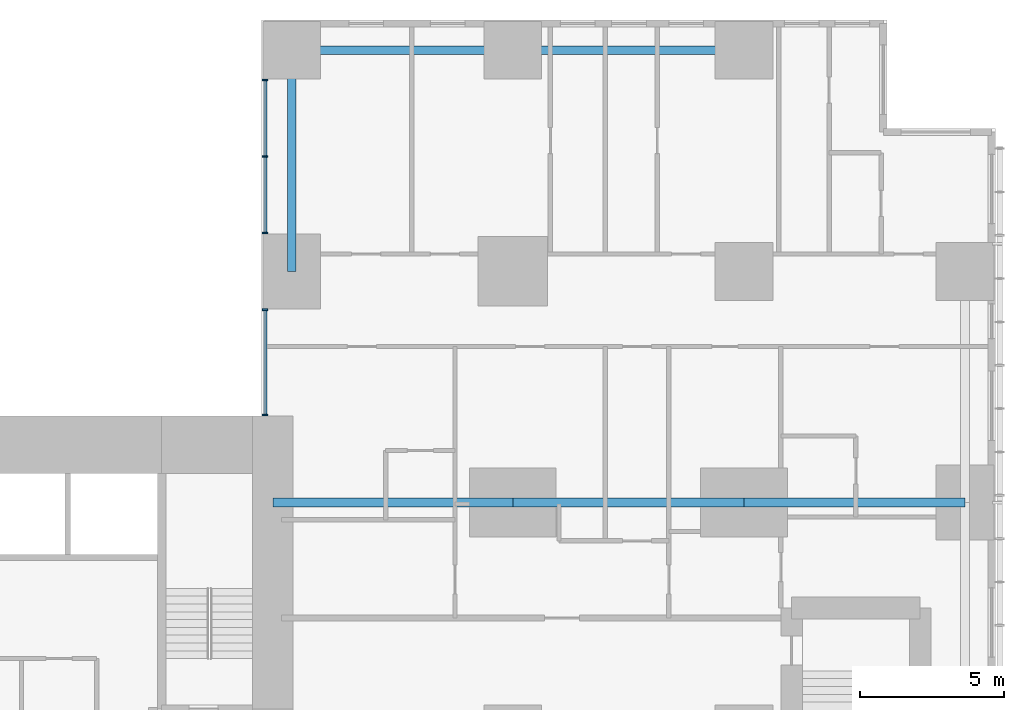
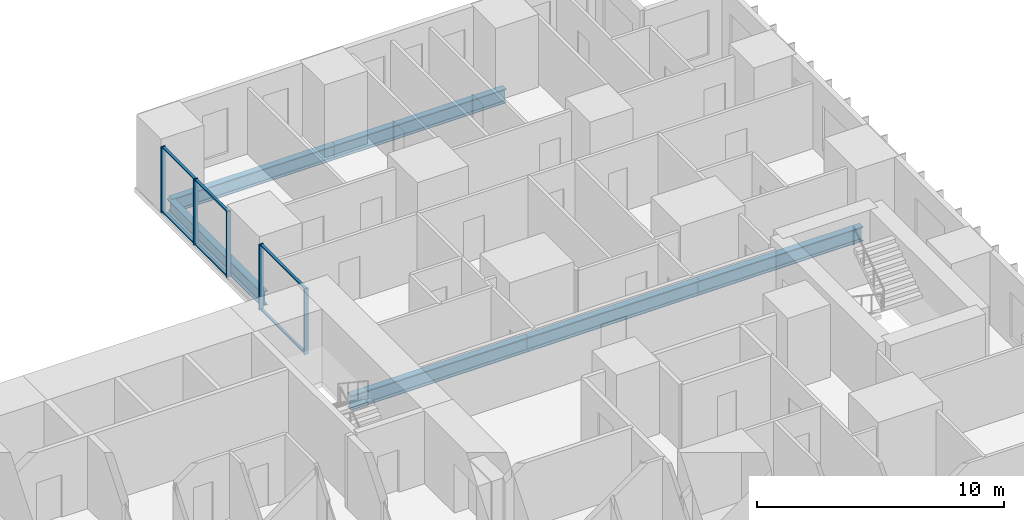
# One storey, part 5 of 20: 11 members, 6 beams, 2 elements without a shape of their own.
"""IFC4 building model written with IfcOpenShell, lengths in metres."""

from ifc_helpers import new_model, si_unit, direction, frame, origin, origin_2d, place, context, subcontext, project, spatial, rectangle, i_section, extrude, material, layer, layer_set, material_profile, profile_set, type_object, element, aggregate, save


model = new_model("IFC4")

# Units and contexts
model_context = context("Model", 3, precision=1e-05, world=origin(), true_north=direction((0.0, 1.0)))
body_context = subcontext(model_context, "Body", "Model", "MODEL_VIEW")
ifc_project = project(units=[si_unit("LENGTHUNIT", "METRE"), si_unit("AREAUNIT", "SQUARE_METRE"), si_unit("VOLUMEUNIT", "CUBIC_METRE"), si_unit("PLANEANGLEUNIT", "RADIAN"), si_unit("MASSUNIT", "GRAM", prefix="KILO")], contexts=[model_context])

# Site, building, storey
site_placement = place(None, origin())
site = spatial("IfcSite", under=ifc_project, at=site_placement, CompositionType="ELEMENT")
building_placement = place(site_placement, origin())
building = spatial("IfcBuilding", under=site, at=building_placement, Name="Cleftline Residences", CompositionType="ELEMENT")
storey_placement = place(building_placement, frame((0.0, 0.0, 168.199951171875)))
storey = spatial("IfcBuildingStorey", under=building, at=storey_placement, Name="L44", CompositionType="ELEMENT", Elevation=168.199951171875)

# Beams
ifc_material_1 = material(Name="Steel S355", Category="steel")
ifc_material_profile_1 = material_profile(ifc_material_1, i_section(OverallWidth=0.300048828125, OverallDepth=0.699951171875, WebThickness=0.01708984375, FlangeThickness=0.031982421875, FilletRadius=0.027099609375, at=origin_2d()))
ifc_profile_set_1 = profile_set([ifc_material_profile_1], Name="Steel S355")
beam_type_1 = type_object("IfcBeamType", Name="BEAM HEB 700", PredefinedType="BEAM", material=ifc_profile_set_1)
beam_1_placement = place(storey_placement, frame((58.0, 47.64990234375, -0.599853515625), z_axis=(-1.0, 0.0, 0.0), x_axis=(0.0, -1.0, 0.0)))
element("IfcBeam", 1, at=beam_1_placement, inside=storey, type_object=beam_type_1, Name="Edge beam", PredefinedType="BEAM", context=body_context, shape_type="SweptSolid", body=[
    extrude(i_section(OverallWidth=0.300048828125, OverallDepth=0.699951171875, WebThickness=0.01708984375, FlangeThickness=0.031982421875, FilletRadius=0.027099609375, at=origin_2d()), origin(), (0.0, 0.0, 1.0), 8.0),
])
for number, where, z_axis, x_axis, name in (
    (2, (50.0, 47.64990234375, -0.599853515625), (-1.0, 0.0, 0.0), (0.0, -1.0, 0.0), "Edge beam"),
    (3, (42.35009765625, 47.64990234375, -0.599853515625), (0.0, -1.0, 0.0), (1.0, 0.0, 0.0), "Edge beam"),
):
    element("IfcBeam", number, at=place(storey_placement, frame(where, z_axis=z_axis, x_axis=x_axis)), inside=storey, type_object=beam_type_1, Name=name, PredefinedType="BEAM", context=body_context, shape_type="SweptSolid", body=[
        extrude(i_section(OverallWidth=0.300048828125, OverallDepth=0.699951171875, WebThickness=0.01708984375, FlangeThickness=0.031982421875, FilletRadius=0.027099609375, at=origin_2d()), origin(), (0.0, 0.0, 1.0), 7.64990234375),
    ])
ifc_material_2 = material(Name="Steel S355", Category="steel")
ifc_material_profile_2 = material_profile(ifc_material_2, i_section(OverallWidth=0.303955078125, OverallDepth=0.716064453125, WebThickness=0.02099609375, FlangeThickness=0.0400390625, FilletRadius=0.027099609375, at=origin_2d()))
ifc_profile_set_2 = profile_set([ifc_material_profile_2], Name="Steel S355")
beam_type_2 = type_object("IfcBeamType", Name="BEAM HEM 700", PredefinedType="BEAM", material=ifc_profile_set_2)
beam_2_placement = place(storey_placement, frame((65.64990234375, 32.0, -0.60791015625), z_axis=(-1.0, 0.0, 0.0), x_axis=(0.0, -1.0, 0.0)))
element("IfcBeam", 4, at=beam_2_placement, inside=storey, type_object=beam_type_2, Name="Band beam", PredefinedType="BEAM", context=body_context, shape_type="SweptSolid", body=[
    extrude(i_section(OverallWidth=0.303955078125, OverallDepth=0.716064453125, WebThickness=0.02099609375, FlangeThickness=0.0400390625, FilletRadius=0.027099609375, at=origin_2d()), origin(), (0.0, 0.0, 1.0), 7.64990234375),
])
beam_3_placement = place(storey_placement, frame((58.0, 32.0, -0.60791015625), z_axis=(-1.0, 0.0, 0.0), x_axis=(0.0, -1.0, 0.0)))
element("IfcBeam", 5, at=beam_3_placement, inside=storey, type_object=beam_type_2, Name="Band beam", PredefinedType="BEAM", context=body_context, shape_type="SweptSolid", body=[
    extrude(i_section(OverallWidth=0.303955078125, OverallDepth=0.716064453125, WebThickness=0.02099609375, FlangeThickness=0.0400390625, FilletRadius=0.027099609375, at=origin_2d()), origin(), (0.0, 0.0, 1.0), 8.0),
])
beam_4_placement = place(storey_placement, frame((50.0, 32.0, -0.60791015625), z_axis=(-1.0, 0.0, 0.0), x_axis=(0.0, -1.0, 0.0)))
element("IfcBeam", 6, at=beam_4_placement, inside=storey, type_object=beam_type_2, Name="Band beam", PredefinedType="BEAM", context=body_context, shape_type="SweptSolid", body=[
    extrude(i_section(OverallWidth=0.303955078125, OverallDepth=0.716064453125, WebThickness=0.02099609375, FlangeThickness=0.0400390625, FilletRadius=0.027099609375, at=origin_2d()), origin(), (0.0, 0.0, 1.0), 8.300048828125),
])

# Curtain wall, members
ifc_material_3 = material(Name="Aluminium framed curtain wall", Category="aluminium")
ifc_layer = layer(ifc_material_3, 0.199951171875)
ifc_layer_set = layer_set([ifc_layer], Name="CW1 CLEFT GLAZING")
curtain_wall_type = type_object("IfcCurtainWallType", Name="CW1 CLEFT GLAZING", PredefinedType="NOTDEFINED", material=ifc_layer_set)
curtain_wall_1_placement = place(storey_placement, origin())
curtain_wall_1 = element("IfcCurtainWall", 7, at=curtain_wall_1_placement, inside=storey, type_object=curtain_wall_type, Name="Curtain wall CW1", PredefinedType="NOTDEFINED")
ifc_material_4 = material(Name="Aluminium mullion", Category="aluminium")
ifc_material_profile_3 = material_profile(ifc_material_4, rectangle(XDim=0.199951171875, YDim=0.06005859375, at=origin_2d()))
ifc_profile_set_3 = profile_set([ifc_material_profile_3], Name="Aluminium mullion")
member_type_1 = type_object("IfcMemberType", Name="CW1 MULLION", PredefinedType="MULLION", material=ifc_profile_set_3)
member_1_placement = place(storey_placement, frame((41.425048828125, 46.6201171875, 0.0), z_axis=(0.0, 0.0, 1.0), x_axis=(1.0, 0.0, 0.0)))
member_1 = element("IfcMember", 8, at=member_1_placement, type_object=member_type_1, Name="CW1 mullion 1", PredefinedType="MULLION", context=body_context, shape_type="SweptSolid", body=[
    extrude(rectangle(XDim=0.199951171875, YDim=0.06005859375, at=origin_2d()), origin(), (0.0, 0.0, 1.0), 3.25),
])
member_2_placement = place(storey_placement, frame((41.425048828125, 43.97509765625, 0.0), z_axis=(0.0, 0.0, 1.0), x_axis=(1.0, 0.0, 0.0)))
member_2 = element("IfcMember", 9, at=member_2_placement, type_object=member_type_1, Name="CW1 mullion 2", PredefinedType="MULLION", context=body_context, shape_type="SweptSolid", body=[
    extrude(rectangle(XDim=0.199951171875, YDim=0.06005859375, at=origin_2d()), origin(), (0.0, 0.0, 1.0), 3.25),
])
member_3_placement = place(storey_placement, frame((41.425048828125, 41.330078125, 0.0), z_axis=(0.0, 0.0, 1.0), x_axis=(1.0, 0.0, 0.0)))
member_3 = element("IfcMember", 10, at=member_3_placement, type_object=member_type_1, Name="CW1 mullion 3", PredefinedType="MULLION", context=body_context, shape_type="SweptSolid", body=[
    extrude(rectangle(XDim=0.199951171875, YDim=0.06005859375, at=origin_2d()), origin(), (0.0, 0.0, 1.0), 3.25),
])

curtain_wall_2_placement = place(storey_placement, origin())
curtain_wall_2 = element("IfcCurtainWall", 11, at=curtain_wall_2_placement, inside=storey, type_object=curtain_wall_type, Name="Curtain wall CW1", PredefinedType="NOTDEFINED")
member_4_placement = place(storey_placement, frame((41.425048828125, 38.669921875, 0.0), z_axis=(0.0, 0.0, 1.0), x_axis=(1.0, 0.0, 0.0)))
member_4 = element("IfcMember", 12, at=member_4_placement, type_object=member_type_1, Name="CW1 mullion 1", PredefinedType="MULLION", context=body_context, shape_type="SweptSolid", body=[
    extrude(rectangle(XDim=0.199951171875, YDim=0.06005859375, at=origin_2d()), origin(), (0.0, 0.0, 1.0), 3.25),
])
member_5_placement = place(storey_placement, frame((41.425048828125, 35.030029296875, 0.0), z_axis=(0.0, 0.0, 1.0), x_axis=(1.0, 0.0, 0.0)))
member_5 = element("IfcMember", 13, at=member_5_placement, type_object=member_type_1, Name="CW1 mullion 2", PredefinedType="MULLION", context=body_context, shape_type="SweptSolid", body=[
    extrude(rectangle(XDim=0.199951171875, YDim=0.06005859375, at=origin_2d()), origin(), (0.0, 0.0, 1.0), 3.25),
])

# Member
ifc_material_5 = material(Name="Aluminium transom", Category="aluminium")
ifc_material_profile_4 = material_profile(ifc_material_5, rectangle(XDim=0.1201171875, YDim=0.06005859375, at=origin_2d()))
ifc_profile_set_4 = profile_set([ifc_material_profile_4], Name="Aluminium transom")
member_type_2 = type_object("IfcMemberType", Name="CW1 TRANSOM", PredefinedType="USERDEFINED", material=ifc_profile_set_4)
member_6_placement = place(storey_placement, frame((41.425048828125, 46.590087890625, 0.030029296875), z_axis=(0.0, -1.0, 0.0), x_axis=(1.0, 0.0, 0.0)))
member_6 = element("IfcMember", 14, at=member_6_placement, type_object=member_type_2, Name="CW1 transom 1.1", ObjectType="TRANSOM", PredefinedType="USERDEFINED", context=body_context, shape_type="SweptSolid", body=[
    extrude(rectangle(XDim=0.1201171875, YDim=0.06005859375, at=origin_2d()), origin(), (0.0, 0.0, 1.0), 2.585205078125),
])

member_7_placement = place(storey_placement, frame((41.425048828125, 46.590087890625, 3.219970703125), z_axis=(0.0, -1.0, 0.0), x_axis=(1.0, 0.0, 0.0)))
member_7 = element("IfcMember", 15, at=member_7_placement, type_object=member_type_2, Name="CW1 transom 1.2", ObjectType="TRANSOM", PredefinedType="USERDEFINED", context=body_context, shape_type="SweptSolid", body=[
    extrude(rectangle(XDim=0.1201171875, YDim=0.06005859375, at=origin_2d()), origin(), (0.0, 0.0, 1.0), 2.585205078125),
])

member_8_placement = place(storey_placement, frame((41.425048828125, 43.945068359375, 0.030029296875), z_axis=(0.0, -1.0, 0.0), x_axis=(1.0, 0.0, 0.0)))
member_8 = element("IfcMember", 16, at=member_8_placement, type_object=member_type_2, Name="CW1 transom 2.1", ObjectType="TRANSOM", PredefinedType="USERDEFINED", context=body_context, shape_type="SweptSolid", body=[
    extrude(rectangle(XDim=0.1201171875, YDim=0.06005859375, at=origin_2d()), origin(), (0.0, 0.0, 1.0), 2.5849609375),
])

member_9_placement = place(storey_placement, frame((41.425048828125, 43.945068359375, 3.219970703125), z_axis=(0.0, -1.0, 0.0), x_axis=(1.0, 0.0, 0.0)))
member_9 = element("IfcMember", 17, at=member_9_placement, type_object=member_type_2, Name="CW1 transom 2.2", ObjectType="TRANSOM", PredefinedType="USERDEFINED", context=body_context, shape_type="SweptSolid", body=[
    extrude(rectangle(XDim=0.1201171875, YDim=0.06005859375, at=origin_2d()), origin(), (0.0, 0.0, 1.0), 2.5849609375),
])

aggregate(curtain_wall_1, [member_1, member_2, member_3, member_6, member_7, member_8, member_9])

member_10_placement = place(storey_placement, frame((41.425048828125, 38.639892578125, 0.030029296875), z_axis=(0.0, -1.0, 0.0), x_axis=(1.0, 0.0, 0.0)))
member_10 = element("IfcMember", 18, at=member_10_placement, type_object=member_type_2, Name="CW1 transom 1.1", ObjectType="TRANSOM", PredefinedType="USERDEFINED", context=body_context, shape_type="SweptSolid", body=[
    extrude(rectangle(XDim=0.1201171875, YDim=0.06005859375, at=origin_2d()), origin(), (0.0, 0.0, 1.0), 3.579833984375),
])

member_11_placement = place(storey_placement, frame((41.425048828125, 38.639892578125, 3.219970703125), z_axis=(0.0, -1.0, 0.0), x_axis=(1.0, 0.0, 0.0)))
member_11 = element("IfcMember", 19, at=member_11_placement, type_object=member_type_2, Name="CW1 transom 1.2", ObjectType="TRANSOM", PredefinedType="USERDEFINED", context=body_context, shape_type="SweptSolid", body=[
    extrude(rectangle(XDim=0.1201171875, YDim=0.06005859375, at=origin_2d()), origin(), (0.0, 0.0, 1.0), 3.579833984375),
])

aggregate(curtain_wall_2, [member_4, member_5, member_10, member_11])

save(model, "model.ifc")
